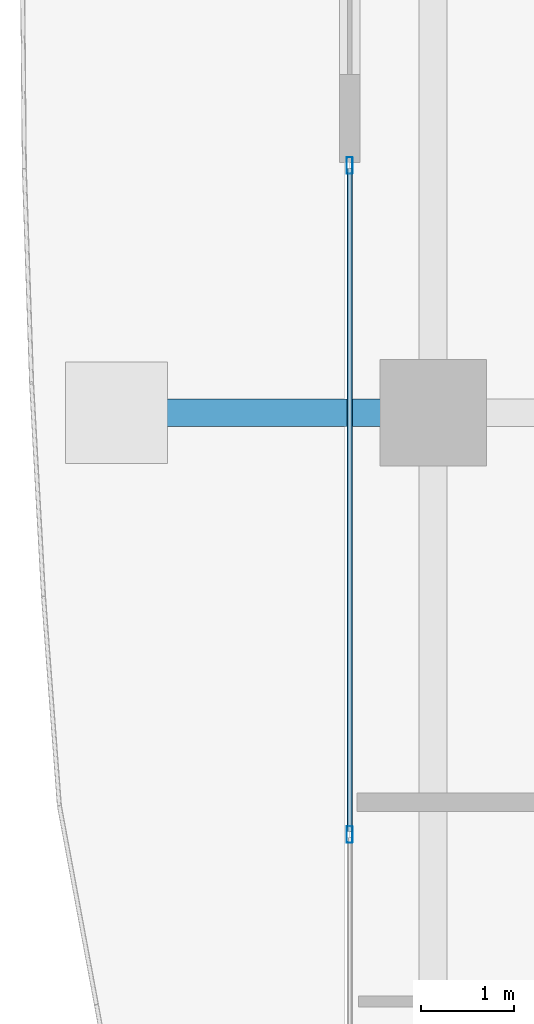
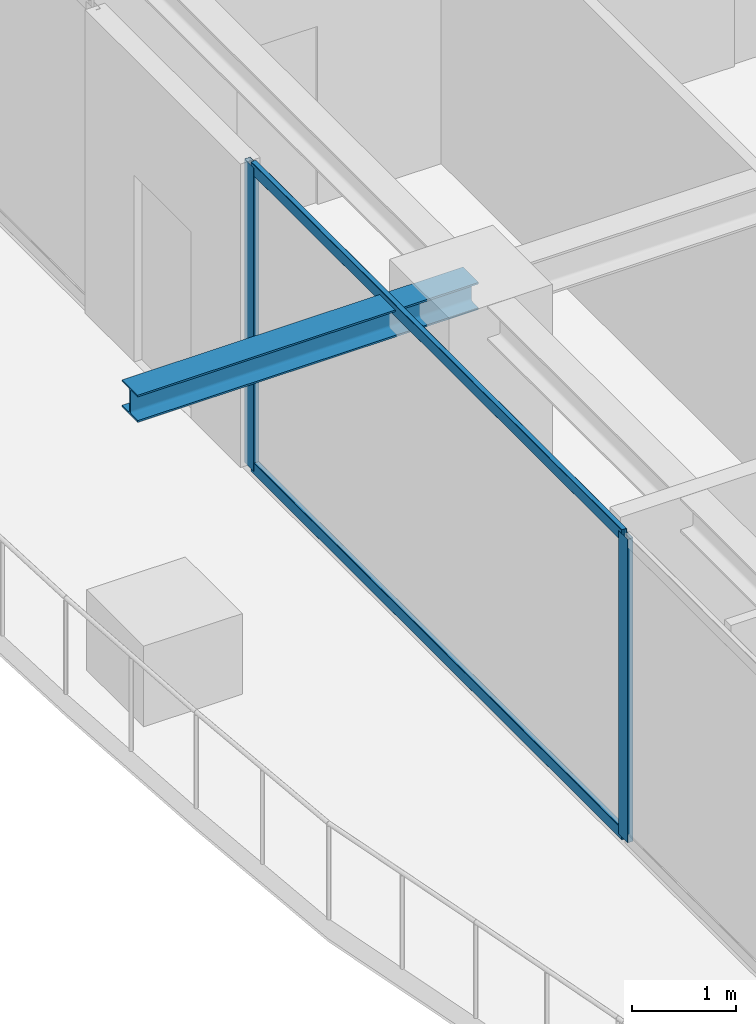
# One storey, part 8 of 40: 4 members, 1 beam, 1 element without a shape of its own.
"""IFC4 building model written with IfcOpenShell, lengths in metres."""

from ifc_helpers import new_model, si_unit, direction, frame, origin, origin_2d, place, context, subcontext, project, spatial, hollow_rectangle, i_section, extrude, source, transform, mapped, material, layer, layer_set, material_profile, profile_set, type_object, element, aggregate, save


model = new_model("IFC4")

# Units and contexts
model_context = context("Model", 3, precision=1e-05, world=origin(), true_north=direction((0.0, 1.0)))
body_context = subcontext(model_context, "Body", "Model", "MODEL_VIEW")
ifc_project = project(units=[si_unit("LENGTHUNIT", "METRE"), si_unit("AREAUNIT", "SQUARE_METRE"), si_unit("VOLUMEUNIT", "CUBIC_METRE"), si_unit("PLANEANGLEUNIT", "RADIAN"), si_unit("MASSUNIT", "GRAM", prefix="KILO")], contexts=[model_context])

# Site, building, storey
site_placement = place(None, origin())
site = spatial("IfcSite", under=ifc_project, at=site_placement, CompositionType="ELEMENT")
building_placement = place(site_placement, origin())
building = spatial("IfcBuilding", under=site, at=building_placement, Name="Serunith Strait Residences", CompositionType="ELEMENT")
storey_placement = place(building_placement, frame((0.0, 0.0, 252.800048828125)))
storey = spatial("IfcBuildingStorey", under=building, at=storey_placement, Name="L63", CompositionType="ELEMENT", Elevation=252.800048828125)

# Beam
ifc_material_1 = material(Name="Steel S355J2", Category="steel")
ifc_material_profile_1 = material_profile(ifc_material_1, i_section(OverallWidth=0.300048828125, OverallDepth=0.320068359375, WebThickness=0.011474609375, FlangeThickness=0.0205078125, FilletRadius=0.027099609375, at=origin_2d()), Name="HEB 320")
ifc_profile_set_1 = profile_set([ifc_material_profile_1], Name="Steel S355J2")
beam_type = type_object("IfcBeamType", Name="BM-HEB320", PredefinedType="BEAM", material=ifc_profile_set_1)
shared_shape_1 = source(origin(), body_context, "Body", "SweptSolid", [
    extrude(i_section(OverallWidth=0.300048828125, OverallDepth=0.320068359375, WebThickness=0.011474609375, FlangeThickness=0.0205078125, FilletRadius=0.027099609375, at=origin_2d()), origin(), (0.0, 0.0, 1.0), 3.800048828125),
])
beam_placement = place(storey_placement, frame((8.300048828125, 21.0, 3.39697265625), z_axis=(-1.0, 0.0, 0.0), x_axis=(0.0, -1.0, 0.0)))
element("IfcBeam", 1, at=beam_placement, inside=storey, type_object=beam_type, Name="L64 Cantilevered Balcony Rib TC-W2", PredefinedType="BEAM", context=body_context, shape_type="MappedRepresentation", body=[
    mapped(shared_shape_1, transform((0.0, 0.0, 0.0), scale=1.0)),
])

# Curtain wall, members
ifc_material_2 = material(Name="Pale-Champagne Anodised Aluminium", Category="aluminium")
ifc_layer = layer(ifc_material_2, 0.199951171875, Name="Pale-Champagne Anodised Aluminium")
ifc_layer_set = layer_set([ifc_layer], Name="Pale-Champagne Anodised Aluminium")
curtain_wall_type = type_object("IfcCurtainWallType", Name="CW-SYS4", PredefinedType="NOTDEFINED", material=ifc_layer_set)
curtain_wall_placement = place(storey_placement, origin())
curtain_wall = element("IfcCurtainWall", 2, at=curtain_wall_placement, inside=storey, type_object=curtain_wall_type, Name="L63 W Unitised Fritted Curtain Wall", PredefinedType="NOTDEFINED")
ifc_material_profile_2 = material_profile(ifc_material_2, hollow_rectangle(XDim=0.06494140625, YDim=0.179931640625, WallThickness=0.00341796875, InnerFilletRadius=0.00537109375, OuterFilletRadius=0.0087890625, at=origin_2d()), Name="ALU 180x65x3.5")
ifc_profile_set_2 = profile_set([ifc_material_profile_2], Name="Pale-Champagne Anodised Aluminium")
member_type_1 = type_object("IfcMemberType", Name="CW-SYS4-MULL", PredefinedType="MULLION", material=ifc_profile_set_2)
shared_shape_2 = source(origin(), body_context, "Body", "SweptSolid", [
    extrude(hollow_rectangle(XDim=0.06494140625, YDim=0.179931640625, WallThickness=0.00341796875, InnerFilletRadius=0.00537109375, OuterFilletRadius=0.0087890625, at=origin_2d()), origin(), (0.0, 0.0, 1.0), 3.574951171875),
])
member_1_placement = place(storey_placement, frame((7.39990234375, 23.66748046875, 0.0), z_axis=(0.0, 0.0, 1.0), x_axis=(1.0, 0.0, 0.0)))
member_1 = element("IfcMember", 3, at=member_1_placement, type_object=member_type_1, Name="CW-4 mullion 1", PredefinedType="MULLION", context=body_context, shape_type="MappedRepresentation", body=[
    mapped(shared_shape_2, transform((0.0, 0.0, 0.0), scale=1.0)),
])
member_2_placement = place(storey_placement, frame((7.39990234375, 16.449951171875, 0.0), z_axis=(0.0, 0.0, 1.0), x_axis=(1.0, 0.0, 0.0)))
member_2 = element("IfcMember", 4, at=member_2_placement, type_object=member_type_1, Name="CW-4 mullion 2", PredefinedType="MULLION", context=body_context, shape_type="MappedRepresentation", body=[
    mapped(shared_shape_2, transform((0.0, 0.0, 0.0), scale=1.0)),
])
ifc_material_profile_3 = material_profile(ifc_material_2, hollow_rectangle(XDim=0.06005859375, YDim=0.139892578125, WallThickness=0.00341796875, InnerFilletRadius=0.00537109375, OuterFilletRadius=0.0087890625, at=origin_2d()), Name="ALU 140x60x3.5")
ifc_profile_set_3 = profile_set([ifc_material_profile_3], Name="Pale-Champagne Anodised Aluminium")
member_type_2 = type_object("IfcMemberType", Name="CW-SYS4-TRAN", PredefinedType="USERDEFINED", material=ifc_profile_set_3)
shared_shape_3 = source(origin(), body_context, "Body", "SweptSolid", [
    extrude(hollow_rectangle(XDim=0.06005859375, YDim=0.139892578125, WallThickness=0.00341796875, InnerFilletRadius=0.00537109375, OuterFilletRadius=0.0087890625, at=origin_2d()), origin(), (0.0, 0.0, 1.0), 7.152587890625),
])
member_3_placement = place(storey_placement, frame((7.39990234375, 23.635009765625, 0.030029296875), z_axis=(0.0, -1.0, 0.0), x_axis=(1.0, 0.0, 0.0)))
member_3 = element("IfcMember", 5, at=member_3_placement, type_object=member_type_2, Name="CW-4 transom 1.1", ObjectType="TRANSOM", PredefinedType="USERDEFINED", context=body_context, shape_type="MappedRepresentation", body=[
    mapped(shared_shape_3, transform((0.0, 0.0, 0.0), scale=1.0)),
])
member_4_placement = place(storey_placement, frame((7.39990234375, 23.635009765625, 3.544921875), z_axis=(0.0, -1.0, 0.0), x_axis=(1.0, 0.0, 0.0)))
member_4 = element("IfcMember", 6, at=member_4_placement, type_object=member_type_2, Name="CW-4 transom 1.2", ObjectType="TRANSOM", PredefinedType="USERDEFINED", context=body_context, shape_type="MappedRepresentation", body=[
    mapped(shared_shape_3, transform((0.0, 0.0, 0.0), scale=1.0)),
])
aggregate(curtain_wall, [member_1, member_2, member_3, member_4])

save(model, "model.ifc")
